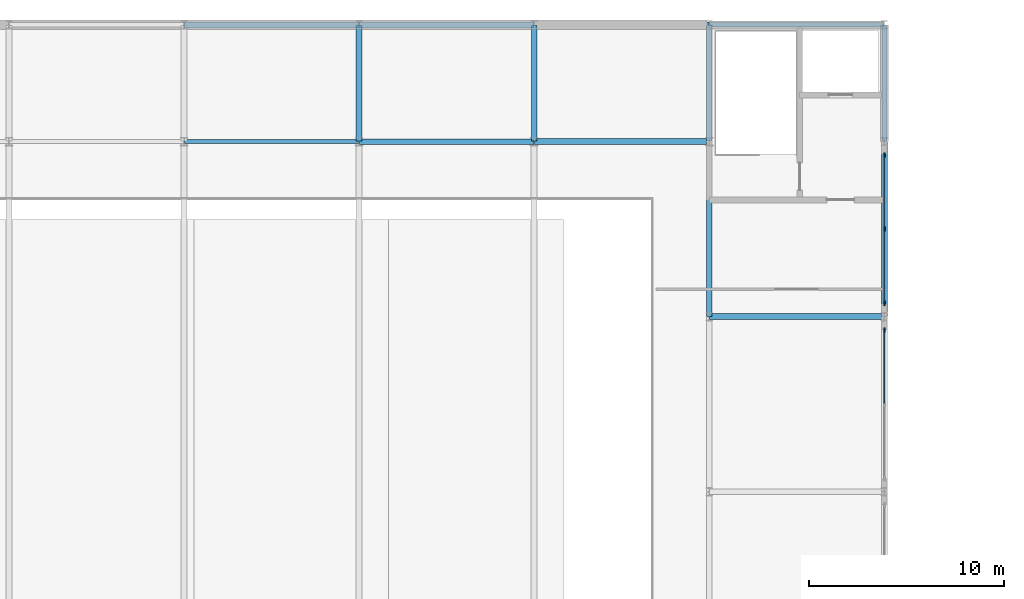
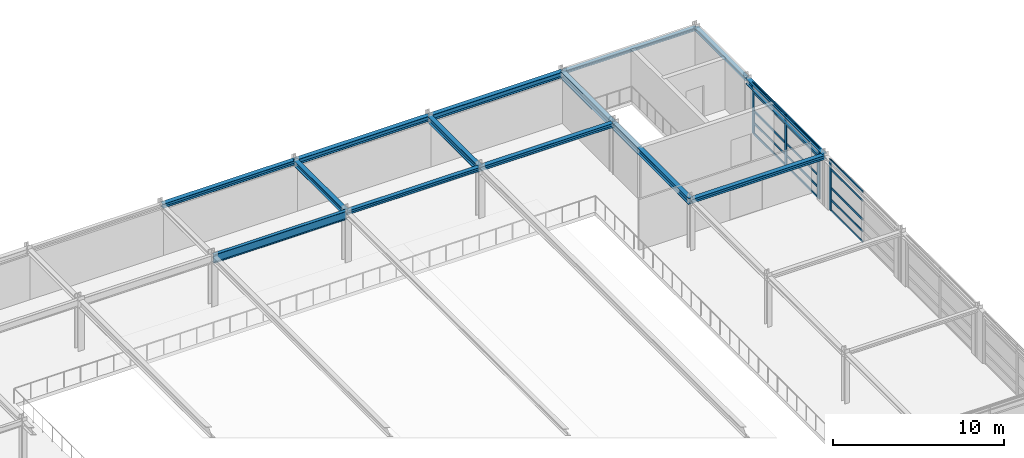
# One storey, part 49 of 79: 19 members, 14 beams, 2 elements without a shape of their own.
"""IFC4 building model written with IfcOpenShell, lengths in metres."""

from ifc_helpers import new_model, si_unit, direction, frame, origin, origin_2d, place, context, subcontext, project, spatial, rectangle, i_section, extrude, material, material_profile, profile_set, type_object, element, aggregate, save


model = new_model("IFC4")

# Units and contexts
model_context = context("Model", 3, precision=1e-05, world=origin(), true_north=direction((0.0, 1.0)))
body_context = subcontext(model_context, "Body", "Model", "MODEL_VIEW")
ifc_project = project(units=[si_unit("LENGTHUNIT", "METRE"), si_unit("AREAUNIT", "SQUARE_METRE"), si_unit("VOLUMEUNIT", "CUBIC_METRE"), si_unit("PLANEANGLEUNIT", "RADIAN"), si_unit("MASSUNIT", "GRAM", prefix="KILO")], contexts=[model_context])

# Site, building, storey
site_placement = place(None, origin())
site = spatial("IfcSite", under=ifc_project, at=site_placement, CompositionType="ELEMENT")
building_placement = place(site_placement, origin())
building = spatial("IfcBuilding", under=site, at=building_placement, Name="Palais des Congres Ocreval", CompositionType="ELEMENT")
storey_placement = place(building_placement, frame((0.0, 0.0, 4.320068359375)))
storey = spatial("IfcBuildingStorey", under=building, at=storey_placement, Name="L01", CompositionType="ELEMENT", Elevation=4.320068359375)

# Beam
ifc_material_1 = material(Name="Steel S355", Category="steel")
ifc_material_profile_1 = material_profile(ifc_material_1, i_section(OverallWidth=0.219970703125, OverallDepth=0.60009765625, WebThickness=0.011962890625, FlangeThickness=0.01904296875, at=origin_2d()), Name="IPE 600")
ifc_profile_set_1 = profile_set([ifc_material_profile_1], Name="Steel S355")
beam_type_1 = type_object("IfcBeamType", Name="Composite Beam IPE 600 Steel S355", PredefinedType="BEAM", material=ifc_profile_set_1)
beam_1_placement = place(storey_placement, frame((126.02001953125, 108.0, 3.280029296875), z_axis=(1.0, 0.0, 0.0), x_axis=(0.0, 1.0, 0.0)))
element("IfcBeam", 1, at=beam_1_placement, inside=storey, type_object=beam_type_1, Name="Beam B06 L01", PredefinedType="BEAM", context=body_context, shape_type="SweptSolid", body=[
    extrude(i_section(OverallWidth=0.219970703125, OverallDepth=0.60009765625, WebThickness=0.011962890625, FlangeThickness=0.01904296875, at=origin_2d()), origin(), (0.0, 0.0, 1.0), 8.9599609375),
])

# Curtain wall, members
ifc_material_2 = material(Name="Anodized bronze aluminium and low-E glass", Category="glass")
curtain_wall_type = type_object("IfcCurtainWallType", Name="Unitised Curtain Wall 7900x3660", PredefinedType="USERDEFINED", material=ifc_material_2)
curtain_wall_1_placement = place(storey_placement, origin())
curtain_wall_1 = element("IfcCurtainWall", 2, at=curtain_wall_1_placement, inside=storey, type_object=curtain_wall_type, Name="Unitised Curtain Wall CW02 L01", ObjectType="UNITISED CURTAIN WALL", PredefinedType="USERDEFINED")
ifc_material_3 = material(Name="Anodized bronze aluminium", Category="aluminium")
ifc_material_profile_2 = material_profile(ifc_material_3, rectangle(XDim=0.074951171875, YDim=0.239990234375, at=origin_2d()), Name="ALU 75x240")
ifc_profile_set_2 = profile_set([ifc_material_profile_2], Name="Anodized bronze aluminium")
member_type_1 = type_object("IfcMemberType", Name="Curtain Wall Mullion ALU 75x240", PredefinedType="MULLION", material=ifc_profile_set_2)
member_1_placement = place(storey_placement, frame((162.0, 107.3125, 0.0), z_axis=(0.0, 0.0, 1.0), x_axis=(1.0, 0.0, 0.0)))
member_1 = element("IfcMember", 3, at=member_1_placement, type_object=member_type_1, Name="Curtain Wall Mullion ML01", PredefinedType="MULLION", context=body_context, shape_type="SweptSolid", body=[
    extrude(rectangle(XDim=0.074951171875, YDim=0.239990234375, at=origin_2d()), origin(), (0.0, 0.0, 1.0), 3.599853515625),
])
member_2_placement = place(storey_placement, frame((162.0, 103.5, 0.0), z_axis=(0.0, 0.0, 1.0), x_axis=(1.0, 0.0, 0.0)))
member_2 = element("IfcMember", 4, at=member_2_placement, type_object=member_type_1, Name="Curtain Wall Mullion ML01", PredefinedType="MULLION", context=body_context, shape_type="SweptSolid", body=[
    extrude(rectangle(XDim=0.074951171875, YDim=0.239990234375, at=origin_2d()), origin(), (0.0, 0.0, 1.0), 3.599853515625),
])
member_3_placement = place(storey_placement, frame((162.0, 99.6875, 0.0), z_axis=(0.0, 0.0, 1.0), x_axis=(1.0, 0.0, 0.0)))
member_3 = element("IfcMember", 5, at=member_3_placement, type_object=member_type_1, Name="Curtain Wall Mullion ML01", PredefinedType="MULLION", context=body_context, shape_type="SweptSolid", body=[
    extrude(rectangle(XDim=0.074951171875, YDim=0.239990234375, at=origin_2d()), origin(), (0.0, 0.0, 1.0), 3.599853515625),
])

# Curtain wall, member
curtain_wall_2_placement = place(storey_placement, origin())
curtain_wall_2 = element("IfcCurtainWall", 6, at=curtain_wall_2_placement, inside=storey, type_object=curtain_wall_type, Name="Unitised Curtain Wall CW02 L01", ObjectType="UNITISED CURTAIN WALL", PredefinedType="USERDEFINED")
member_4_placement = place(storey_placement, frame((162.0, 98.3125, 0.0), z_axis=(0.0, 0.0, 1.0), x_axis=(1.0, 0.0, 0.0)))
member_4 = element("IfcMember", 7, at=member_4_placement, type_object=member_type_1, Name="Curtain Wall Mullion ML01", PredefinedType="MULLION", context=body_context, shape_type="SweptSolid", body=[
    extrude(rectangle(XDim=0.074951171875, YDim=0.239990234375, at=origin_2d()), origin(), (0.0, 0.0, 1.0), 3.599853515625),
])

# Member
ifc_material_profile_3 = material_profile(ifc_material_3, rectangle(XDim=0.06005859375, YDim=0.14990234375, at=origin_2d()), Name="ALU 60x150")
ifc_profile_set_3 = profile_set([ifc_material_profile_3], Name="Anodized bronze aluminium")
member_type_2 = type_object("IfcMemberType", Name="Curtain Wall Transom ALU 60x150", PredefinedType="USERDEFINED", material=ifc_profile_set_3)
member_5_placement = place(storey_placement, frame((162.0, 107.27490234375, 0.030029296875), z_axis=(0.0, -1.0, 0.0), x_axis=(1.0, 0.0, 0.0)))
member_5 = element("IfcMember", 8, at=member_5_placement, type_object=member_type_2, Name="Curtain Wall Transom TR01", ObjectType="TRANSOM", PredefinedType="USERDEFINED", context=body_context, shape_type="SweptSolid", body=[
    extrude(rectangle(XDim=0.06005859375, YDim=0.14990234375, at=origin_2d()), origin(), (0.0, 0.0, 1.0), 3.7373046875),
])

member_6_placement = place(storey_placement, frame((162.0, 107.27490234375, 0.780029296875), z_axis=(0.0, -1.0, 0.0), x_axis=(1.0, 0.0, 0.0)))
member_6 = element("IfcMember", 9, at=member_6_placement, type_object=member_type_2, Name="Curtain Wall Transom TR01", ObjectType="TRANSOM", PredefinedType="USERDEFINED", context=body_context, shape_type="SweptSolid", body=[
    extrude(rectangle(XDim=0.06005859375, YDim=0.14990234375, at=origin_2d()), origin(), (0.0, 0.0, 1.0), 3.7373046875),
])

member_7_placement = place(storey_placement, frame((162.0, 107.27490234375, 1.622314453125), z_axis=(0.0, -1.0, 0.0), x_axis=(1.0, 0.0, 0.0)))
member_7 = element("IfcMember", 10, at=member_7_placement, type_object=member_type_2, Name="Curtain Wall Transom TR01", ObjectType="TRANSOM", PredefinedType="USERDEFINED", context=body_context, shape_type="SweptSolid", body=[
    extrude(rectangle(XDim=0.06005859375, YDim=0.14990234375, at=origin_2d()), origin(), (0.0, 0.0, 1.0), 3.7373046875),
])

member_8_placement = place(storey_placement, frame((162.0, 107.27490234375, 2.949951171875), z_axis=(0.0, -1.0, 0.0), x_axis=(1.0, 0.0, 0.0)))
member_8 = element("IfcMember", 11, at=member_8_placement, type_object=member_type_2, Name="Curtain Wall Transom TR01", ObjectType="TRANSOM", PredefinedType="USERDEFINED", context=body_context, shape_type="SweptSolid", body=[
    extrude(rectangle(XDim=0.06005859375, YDim=0.14990234375, at=origin_2d()), origin(), (0.0, 0.0, 1.0), 3.7373046875),
])

member_9_placement = place(storey_placement, frame((162.0, 107.27490234375, 3.56982421875), z_axis=(0.0, -1.0, 0.0), x_axis=(1.0, 0.0, 0.0)))
member_9 = element("IfcMember", 12, at=member_9_placement, type_object=member_type_2, Name="Curtain Wall Transom TR01", ObjectType="TRANSOM", PredefinedType="USERDEFINED", context=body_context, shape_type="SweptSolid", body=[
    extrude(rectangle(XDim=0.06005859375, YDim=0.14990234375, at=origin_2d()), origin(), (0.0, 0.0, 1.0), 3.7373046875),
])

member_10_placement = place(storey_placement, frame((162.0, 103.46240234375, 0.030029296875), z_axis=(0.0, -1.0, 0.0), x_axis=(1.0, 0.0, 0.0)))
member_10 = element("IfcMember", 13, at=member_10_placement, type_object=member_type_2, Name="Curtain Wall Transom TR01", ObjectType="TRANSOM", PredefinedType="USERDEFINED", context=body_context, shape_type="SweptSolid", body=[
    extrude(rectangle(XDim=0.06005859375, YDim=0.14990234375, at=origin_2d()), origin(), (0.0, 0.0, 1.0), 3.7373046875),
])

member_11_placement = place(storey_placement, frame((162.0, 103.46240234375, 0.780029296875), z_axis=(0.0, -1.0, 0.0), x_axis=(1.0, 0.0, 0.0)))
member_11 = element("IfcMember", 14, at=member_11_placement, type_object=member_type_2, Name="Curtain Wall Transom TR01", ObjectType="TRANSOM", PredefinedType="USERDEFINED", context=body_context, shape_type="SweptSolid", body=[
    extrude(rectangle(XDim=0.06005859375, YDim=0.14990234375, at=origin_2d()), origin(), (0.0, 0.0, 1.0), 3.7373046875),
])

member_12_placement = place(storey_placement, frame((162.0, 103.46240234375, 1.622314453125), z_axis=(0.0, -1.0, 0.0), x_axis=(1.0, 0.0, 0.0)))
member_12 = element("IfcMember", 15, at=member_12_placement, type_object=member_type_2, Name="Curtain Wall Transom TR01", ObjectType="TRANSOM", PredefinedType="USERDEFINED", context=body_context, shape_type="SweptSolid", body=[
    extrude(rectangle(XDim=0.06005859375, YDim=0.14990234375, at=origin_2d()), origin(), (0.0, 0.0, 1.0), 3.7373046875),
])

member_13_placement = place(storey_placement, frame((162.0, 103.46240234375, 2.949951171875), z_axis=(0.0, -1.0, 0.0), x_axis=(1.0, 0.0, 0.0)))
member_13 = element("IfcMember", 16, at=member_13_placement, type_object=member_type_2, Name="Curtain Wall Transom TR01", ObjectType="TRANSOM", PredefinedType="USERDEFINED", context=body_context, shape_type="SweptSolid", body=[
    extrude(rectangle(XDim=0.06005859375, YDim=0.14990234375, at=origin_2d()), origin(), (0.0, 0.0, 1.0), 3.7373046875),
])

member_14_placement = place(storey_placement, frame((162.0, 103.46240234375, 3.56982421875), z_axis=(0.0, -1.0, 0.0), x_axis=(1.0, 0.0, 0.0)))
member_14 = element("IfcMember", 17, at=member_14_placement, type_object=member_type_2, Name="Curtain Wall Transom TR01", ObjectType="TRANSOM", PredefinedType="USERDEFINED", context=body_context, shape_type="SweptSolid", body=[
    extrude(rectangle(XDim=0.06005859375, YDim=0.14990234375, at=origin_2d()), origin(), (0.0, 0.0, 1.0), 3.7373046875),
])

aggregate(curtain_wall_1, [member_1, member_2, member_3, member_5, member_6, member_7, member_8, member_9, member_10, member_11, member_12, member_13, member_14])

member_15_placement = place(storey_placement, frame((162.0, 98.27490234375, 0.030029296875), z_axis=(0.0, -1.0, 0.0), x_axis=(1.0, 0.0, 0.0)))
member_15 = element("IfcMember", 18, at=member_15_placement, type_object=member_type_2, Name="Curtain Wall Transom TR01", ObjectType="TRANSOM", PredefinedType="USERDEFINED", context=body_context, shape_type="SweptSolid", body=[
    extrude(rectangle(XDim=0.06005859375, YDim=0.14990234375, at=origin_2d()), origin(), (0.0, 0.0, 1.0), 3.7373046875),
])

member_16_placement = place(storey_placement, frame((162.0, 98.27490234375, 0.780029296875), z_axis=(0.0, -1.0, 0.0), x_axis=(1.0, 0.0, 0.0)))
member_16 = element("IfcMember", 19, at=member_16_placement, type_object=member_type_2, Name="Curtain Wall Transom TR01", ObjectType="TRANSOM", PredefinedType="USERDEFINED", context=body_context, shape_type="SweptSolid", body=[
    extrude(rectangle(XDim=0.06005859375, YDim=0.14990234375, at=origin_2d()), origin(), (0.0, 0.0, 1.0), 3.7373046875),
])

member_17_placement = place(storey_placement, frame((162.0, 98.27490234375, 1.622314453125), z_axis=(0.0, -1.0, 0.0), x_axis=(1.0, 0.0, 0.0)))
member_17 = element("IfcMember", 20, at=member_17_placement, type_object=member_type_2, Name="Curtain Wall Transom TR01", ObjectType="TRANSOM", PredefinedType="USERDEFINED", context=body_context, shape_type="SweptSolid", body=[
    extrude(rectangle(XDim=0.06005859375, YDim=0.14990234375, at=origin_2d()), origin(), (0.0, 0.0, 1.0), 3.7373046875),
])

member_18_placement = place(storey_placement, frame((162.0, 98.27490234375, 2.949951171875), z_axis=(0.0, -1.0, 0.0), x_axis=(1.0, 0.0, 0.0)))
member_18 = element("IfcMember", 21, at=member_18_placement, type_object=member_type_2, Name="Curtain Wall Transom TR01", ObjectType="TRANSOM", PredefinedType="USERDEFINED", context=body_context, shape_type="SweptSolid", body=[
    extrude(rectangle(XDim=0.06005859375, YDim=0.14990234375, at=origin_2d()), origin(), (0.0, 0.0, 1.0), 3.7373046875),
])

member_19_placement = place(storey_placement, frame((162.0, 98.27490234375, 3.56982421875), z_axis=(0.0, -1.0, 0.0), x_axis=(1.0, 0.0, 0.0)))
member_19 = element("IfcMember", 22, at=member_19_placement, type_object=member_type_2, Name="Curtain Wall Transom TR01", ObjectType="TRANSOM", PredefinedType="USERDEFINED", context=body_context, shape_type="SweptSolid", body=[
    extrude(rectangle(XDim=0.06005859375, YDim=0.14990234375, at=origin_2d()), origin(), (0.0, 0.0, 1.0), 3.7373046875),
])

aggregate(curtain_wall_2, [member_4, member_15, member_16, member_17, member_18, member_19])

# Beams
ifc_material_profile_4 = material_profile(ifc_material_1, i_section(OverallWidth=0.260009765625, OverallDepth=0.260009765625, WebThickness=0.010009765625, FlangeThickness=0.017578125, at=origin_2d()), Name="HEB 260")
ifc_profile_set_4 = profile_set([ifc_material_profile_4], Name="Steel S355")
beam_type_2 = type_object("IfcBeamType", Name="Opening Lintel HEB 260 Steel S355", PredefinedType="LINTEL", material=ifc_profile_set_4)
beam_2_placement = place(storey_placement, frame((162.0, 108.02001953125, 3.449951171875), z_axis=(0.0, 1.0, 0.0), x_axis=(-1.0, 0.0, 0.0)))
element("IfcBeam", 23, at=beam_2_placement, inside=storey, type_object=beam_type_2, Name="Girder LN01 L01", PredefinedType="LINTEL", context=body_context, shape_type="SweptSolid", body=[
    extrude(i_section(OverallWidth=0.260009765625, OverallDepth=0.260009765625, WebThickness=0.010009765625, FlangeThickness=0.017578125, at=origin_2d()), origin(), (0.0, 0.0, 1.0), 5.9599609375),
])
ifc_material_profile_5 = material_profile(ifc_material_1, i_section(OverallWidth=0.239990234375, OverallDepth=0.22998046875, WebThickness=0.007568359375, FlangeThickness=0.011962890625, at=origin_2d()), Name="HEA 240")
ifc_profile_set_5 = profile_set([ifc_material_profile_5], Name="Steel S355")
beam_type_3 = type_object("IfcBeamType", Name="Perimeter Spandrel HEA 240 Steel S355", PredefinedType="SPANDREL", material=ifc_profile_set_5)
beam_3_placement = place(storey_placement, frame((153.02001953125, 114.0, 3.46484375), z_axis=(1.0, 0.0, 0.0), x_axis=(0.0, 1.0, 0.0)))
element("IfcBeam", 24, at=beam_3_placement, inside=storey, type_object=beam_type_3, Name="Beam SP01 L01", PredefinedType="SPANDREL", context=body_context, shape_type="SweptSolid", body=[
    extrude(i_section(OverallWidth=0.239990234375, OverallDepth=0.22998046875, WebThickness=0.007568359375, FlangeThickness=0.011962890625, at=origin_2d()), origin(), (0.0, 0.0, 1.0), 8.9599609375),
])
ifc_material_profile_6 = material_profile(ifc_material_1, i_section(OverallWidth=0.300048828125, OverallDepth=0.300048828125, WebThickness=0.010986328125, FlangeThickness=0.01904296875, at=origin_2d()), Name="HEB 300")
ifc_profile_set_6 = profile_set([ifc_material_profile_6], Name="Steel S355")
beam_type_4 = type_object("IfcBeamType", Name="Perimeter Spandrel HEB 300 Steel S355", PredefinedType="SPANDREL", material=ifc_profile_set_6)
beam_4_placement = place(storey_placement, frame((126.02001953125, 114.0, 3.429931640625), z_axis=(1.0, 0.0, 0.0), x_axis=(0.0, 1.0, 0.0)))
element("IfcBeam", 25, at=beam_4_placement, inside=storey, type_object=beam_type_4, Name="Beam SP02 L01", PredefinedType="SPANDREL", context=body_context, shape_type="SweptSolid", body=[
    extrude(i_section(OverallWidth=0.300048828125, OverallDepth=0.300048828125, WebThickness=0.010986328125, FlangeThickness=0.01904296875, at=origin_2d()), origin(), (0.0, 0.0, 1.0), 8.9599609375),
])
ifc_material_profile_7 = material_profile(ifc_material_1, i_section(OverallWidth=0.300048828125, OverallDepth=0.360107421875, WebThickness=0.012451171875, FlangeThickness=0.0224609375, at=origin_2d()), Name="HEB 360")
ifc_profile_set_7 = profile_set([ifc_material_profile_7], Name="Steel S355")
beam_type_5 = type_object("IfcBeamType", Name="Perimeter Spandrel HEB 360 Steel S355", PredefinedType="SPANDREL", material=ifc_profile_set_7)
beam_5_placement = place(storey_placement, frame((135.02001953125, 114.0, 3.39990234375), z_axis=(1.0, 0.0, 0.0), x_axis=(0.0, 1.0, 0.0)))
element("IfcBeam", 26, at=beam_5_placement, inside=storey, type_object=beam_type_5, Name="Beam SP03 L01", PredefinedType="SPANDREL", context=body_context, shape_type="SweptSolid", body=[
    extrude(i_section(OverallWidth=0.300048828125, OverallDepth=0.360107421875, WebThickness=0.012451171875, FlangeThickness=0.0224609375, at=origin_2d()), origin(), (0.0, 0.0, 1.0), 8.9599609375),
])
ifc_material_profile_8 = material_profile(ifc_material_1, i_section(OverallWidth=0.300048828125, OverallDepth=0.39990234375, WebThickness=0.013427734375, FlangeThickness=0.02392578125, at=origin_2d()), Name="HEB 400")
ifc_profile_set_8 = profile_set([ifc_material_profile_8], Name="Steel S355")
beam_type_6 = type_object("IfcBeamType", Name="Perimeter Spandrel HEB 400 Steel S355", PredefinedType="SPANDREL", material=ifc_profile_set_8)
for number, where, z_axis, x_axis, name in (
    (27, (144.02001953125, 114.0, 3.3798828125), (1.0, 0.0, 0.0), (0.0, 1.0, 0.0), "Beam SP04 L01"),
    (28, (162.0, 99.02001953125, 3.3798828125), (0.0, 1.0, 0.0), (-1.0, 0.0, 0.0), "Girder SP04 L01"),
):
    element("IfcBeam", number, at=place(storey_placement, frame(where, z_axis=z_axis, x_axis=x_axis)), inside=storey, type_object=beam_type_6, Name=name, PredefinedType="SPANDREL", context=body_context, shape_type="SweptSolid", body=[
        extrude(i_section(OverallWidth=0.300048828125, OverallDepth=0.39990234375, WebThickness=0.013427734375, FlangeThickness=0.02392578125, at=origin_2d()), origin(), (0.0, 0.0, 1.0), 8.9599609375),
    ])
ifc_material_profile_9 = material_profile(ifc_material_1, i_section(OverallWidth=0.280029296875, OverallDepth=0.27001953125, WebThickness=0.008056640625, FlangeThickness=0.012939453125, at=origin_2d()), Name="HEA 280")
ifc_profile_set_9 = profile_set([ifc_material_profile_9], Name="Steel S355")
beam_type_7 = type_object("IfcBeamType", Name="Primary Beam HEA 280 Steel S355", PredefinedType="BEAM", material=ifc_profile_set_9)
beam_6_placement = place(storey_placement, frame((135.02001953125, 108.0, 3.44482421875), z_axis=(1.0, 0.0, 0.0), x_axis=(0.0, 1.0, 0.0)))
element("IfcBeam", 29, at=beam_6_placement, inside=storey, type_object=beam_type_7, Name="Beam B07 L01", PredefinedType="BEAM", context=body_context, shape_type="SweptSolid", body=[
    extrude(i_section(OverallWidth=0.280029296875, OverallDepth=0.27001953125, WebThickness=0.008056640625, FlangeThickness=0.012939453125, at=origin_2d()), origin(), (0.0, 0.0, 1.0), 8.9599609375),
])
ifc_material_profile_10 = material_profile(ifc_material_1, i_section(OverallWidth=0.300048828125, OverallDepth=0.2900390625, WebThickness=0.008544921875, FlangeThickness=0.013916015625, at=origin_2d()), Name="HEA 300")
ifc_profile_set_10 = profile_set([ifc_material_profile_10], Name="Steel S355")
beam_type_8 = type_object("IfcBeamType", Name="Primary Beam HEA 300 Steel S355", PredefinedType="BEAM", material=ifc_profile_set_10)
for number, where, z_axis, x_axis, name in (
    (30, (144.02001953125, 108.0, 3.434814453125), (1.0, 0.0, 0.0), (0.0, 1.0, 0.0), "Beam B08 L01"),
    (31, (153.02001953125, 99.0, 3.434814453125), (1.0, 0.0, 0.0), (0.0, 1.0, 0.0), "Beam B08 L01"),
):
    element("IfcBeam", number, at=place(storey_placement, frame(where, z_axis=z_axis, x_axis=x_axis)), inside=storey, type_object=beam_type_8, Name=name, PredefinedType="BEAM", context=body_context, shape_type="SweptSolid", body=[
        extrude(i_section(OverallWidth=0.300048828125, OverallDepth=0.2900390625, WebThickness=0.008544921875, FlangeThickness=0.013916015625, at=origin_2d()), origin(), (0.0, 0.0, 1.0), 8.9599609375),
    ])
ifc_material_profile_11 = material_profile(ifc_material_1, i_section(OverallWidth=0.300048828125, OverallDepth=0.389892578125, WebThickness=0.010986328125, FlangeThickness=0.01904296875, at=origin_2d()), Name="HEA 400")
ifc_profile_set_11 = profile_set([ifc_material_profile_11], Name="Steel S355")
beam_type_9 = type_object("IfcBeamType", Name="Primary Beam HEA 400 Steel S355", PredefinedType="BEAM", material=ifc_profile_set_11)
beam_7_placement = place(storey_placement, frame((135.0, 108.02001953125, 3.385009765625), z_axis=(0.0, 1.0, 0.0), x_axis=(-1.0, 0.0, 0.0)))
element("IfcBeam", 32, at=beam_7_placement, inside=storey, type_object=beam_type_9, Name="Girder B10 L01", PredefinedType="BEAM", context=body_context, shape_type="SweptSolid", body=[
    extrude(i_section(OverallWidth=0.300048828125, OverallDepth=0.389892578125, WebThickness=0.010986328125, FlangeThickness=0.01904296875, at=origin_2d()), origin(), (0.0, 0.0, 1.0), 5.9599609375),
])
ifc_material_profile_12 = material_profile(ifc_material_1, i_section(OverallWidth=0.300048828125, OverallDepth=0.43994140625, WebThickness=0.011474609375, FlangeThickness=0.02099609375, at=origin_2d()), Name="HEA 450")
ifc_profile_set_12 = profile_set([ifc_material_profile_12], Name="Steel S355")
beam_type_10 = type_object("IfcBeamType", Name="Primary Beam HEA 450 Steel S355", PredefinedType="BEAM", material=ifc_profile_set_12)
beam_8_placement = place(storey_placement, frame((144.0, 108.02001953125, 3.35986328125), z_axis=(0.0, 1.0, 0.0), x_axis=(-1.0, 0.0, 0.0)))
element("IfcBeam", 33, at=beam_8_placement, inside=storey, type_object=beam_type_10, Name="Girder B11 L01", PredefinedType="BEAM", context=body_context, shape_type="SweptSolid", body=[
    extrude(i_section(OverallWidth=0.300048828125, OverallDepth=0.43994140625, WebThickness=0.011474609375, FlangeThickness=0.02099609375, at=origin_2d()), origin(), (0.0, 0.0, 1.0), 5.9599609375),
])
beam_9_placement = place(storey_placement, frame((153.0, 99.02001953125, 3.35986328125), z_axis=(0.0, 1.0, 0.0), x_axis=(-1.0, 0.0, 0.0)))
element("IfcBeam", 34, at=beam_9_placement, inside=storey, type_object=beam_type_10, Name="Girder B11 L01", PredefinedType="BEAM", context=body_context, shape_type="SweptSolid", body=[
    extrude(i_section(OverallWidth=0.300048828125, OverallDepth=0.43994140625, WebThickness=0.011474609375, FlangeThickness=0.02099609375, at=origin_2d()), origin(), (0.0, 0.0, 1.0), 8.9599609375),
])
ifc_material_profile_13 = material_profile(ifc_material_1, i_section(OverallWidth=0.300048828125, OverallDepth=0.489990234375, WebThickness=0.011962890625, FlangeThickness=0.02294921875, at=origin_2d()), Name="HEA 500")
ifc_profile_set_13 = profile_set([ifc_material_profile_13], Name="Steel S355")
beam_type_11 = type_object("IfcBeamType", Name="Primary Beam HEA 500 Steel S355", PredefinedType="BEAM", material=ifc_profile_set_13)
beam_10_placement = place(storey_placement, frame((153.0, 108.02001953125, 3.3349609375), z_axis=(0.0, 1.0, 0.0), x_axis=(-1.0, 0.0, 0.0)))
element("IfcBeam", 35, at=beam_10_placement, inside=storey, type_object=beam_type_11, Name="Girder B12 L01", PredefinedType="BEAM", context=body_context, shape_type="SweptSolid", body=[
    extrude(i_section(OverallWidth=0.300048828125, OverallDepth=0.489990234375, WebThickness=0.011962890625, FlangeThickness=0.02294921875, at=origin_2d()), origin(), (0.0, 0.0, 1.0), 5.9599609375),
])

save(model, "model.ifc")
